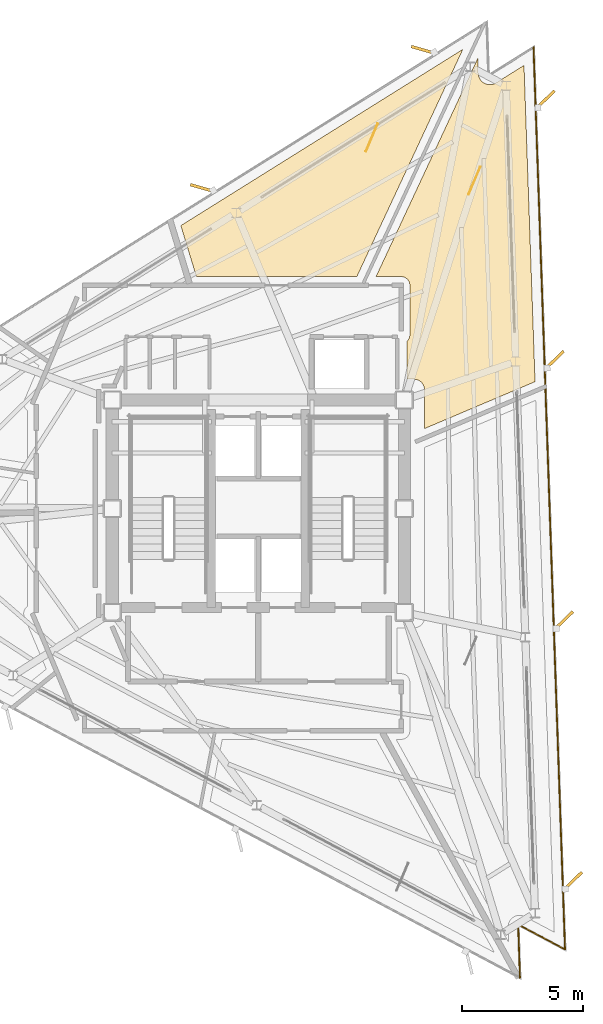
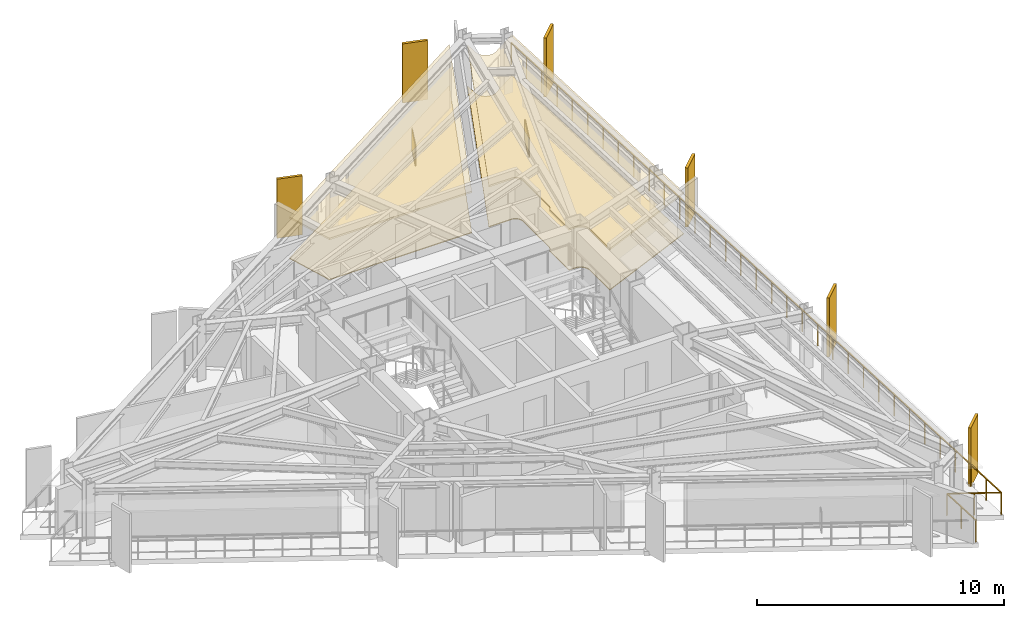
# One storey, part 13 of 13: 6 coverings, 6 shading devices, 1 railing.
"""IFC4 building model written with IfcOpenShell, lengths in metres."""

from ifc_helpers import new_model, si_unit, direction, frame, origin, origin_2d, place, context, subcontext, project, spatial, polyline, rectangle, outline, extrude, material, layer, layer_set, type_object, element, save


model = new_model("IFC4")

# Units and contexts
model_context = context("Model", 3, precision=1e-05, world=origin(), true_north=direction((0.0, 1.0)))
body_context = subcontext(model_context, "Body", "Model", "MODEL_VIEW")
ifc_project = project(units=[si_unit("LENGTHUNIT", "METRE"), si_unit("AREAUNIT", "SQUARE_METRE"), si_unit("VOLUMEUNIT", "CUBIC_METRE"), si_unit("PLANEANGLEUNIT", "RADIAN"), si_unit("MASSUNIT", "GRAM", prefix="KILO")], contexts=[model_context])

# Site, building, storey
site_placement = place(None, origin())
site = spatial("IfcSite", under=ifc_project, at=site_placement, CompositionType="ELEMENT")
building_placement = place(site_placement, origin())
building = spatial("IfcBuilding", under=site, at=building_placement, Name="Rocaltana Carrier Exchange", CompositionType="ELEMENT")
storey_placement = place(building_placement, frame((0.0, 0.0, 199.679931640625)))
storey = spatial("IfcBuildingStorey", under=building, at=storey_placement, Name="L63", CompositionType="ELEMENT", Elevation=199.679931640625)

# Coverings
ifc_material_1 = material(Name="Honed Bogota Sandstone Tile", Category="masonry")
ifc_layer_1 = layer(ifc_material_1, 0.0400390625)
ifc_layer_set_1 = layer_set([ifc_layer_1], Name="Honed Bogota Sandstone Tile")
covering_type_1 = type_object("IfcCoveringType", Name="Honed Stone Lobby Flooring 40", PredefinedType="FLOORING", material=ifc_layer_set_1)
covering_1_placement = place(storey_placement, origin())
element("IfcCovering", 1, at=covering_1_placement, inside=storey, type_object=covering_type_1, Name="L63 Executive Peering Boardroom Finish Floor", PredefinedType="FLOORING", context=body_context, shape_type="SweptSolid", body=[
    extrude(outline(polyline([(6.159912109375, 6.931884765625), (6.16455078125, 6.93603515625), (6.18408203125, 6.955322265625), (6.189208984375, 6.961181640625), (6.206787109375, 6.982421875), (6.21142578125, 6.98876953125), (6.226806640625, 7.01171875), (6.230712890625, 7.018310546875), (6.24365234375, 7.04248046875), (6.2470703125, 7.0498046875), (6.257568359375, 7.0751953125), (6.26025390625, 7.08251953125), (6.268310546875, 7.108642578125), (6.27001953125, 7.116455078125), (6.275390625, 7.143310546875), (6.276611328125, 7.151123046875), (6.279296875, 7.178466796875), (6.27978515625, 7.186279296875), (6.280029296875, 7.199951171875), (6.280029296875, 9.25), (6.27978515625, 9.263671875), (6.279296875, 9.271484375), (6.276611328125, 9.298828125), (6.275390625, 9.306640625), (6.27001953125, 9.33349609375), (6.268310546875, 9.34130859375), (6.26025390625, 9.36767578125), (6.257568359375, 9.375), (6.2470703125, 9.400390625), (6.24365234375, 9.407470703125), (6.230712890625, 9.431640625), (6.226806640625, 9.4384765625), (6.21142578125, 9.461181640625), (6.206787109375, 9.467529296875), (6.189208984375, 9.48876953125), (6.18408203125, 9.49462890625), (6.16455078125, 9.513916015625), (6.15869140625, 9.519287109375), (6.137451171875, 9.53662109375), (6.131103515625, 9.54150390625), (6.1083984375, 9.556640625), (6.101806640625, 9.560791015625), (6.077392578125, 9.57373046875), (6.0703125, 9.576904296875), (6.044921875, 9.58740234375), (6.03759765625, 9.590087890625), (6.01123046875, 9.59814453125), (6.003662109375, 9.60009765625), (5.976806640625, 9.60546875), (5.968994140625, 9.606689453125), (5.941650390625, 9.609375), (5.93359375, 9.609619140625), (5.919921875, 9.610107421875), (4.87841796875, 9.610107421875), (9.09375, 18.64990234375), (9.115478515625, 18.029052734375), (9.1162109375, 18.01513671875), (9.117919921875, 17.995361328125), (9.121826171875, 17.9677734375), (9.12548828125, 17.947998046875), (9.1318359375, 17.9208984375), (9.137451171875, 17.90185546875), (9.146484375, 17.87548828125), (9.154052734375, 17.85693359375), (9.166015625, 17.83154296875), (9.175048828125, 17.81396484375), (9.189208984375, 17.789794921875), (9.2001953125, 17.773193359375), (9.216796875, 17.750732421875), (9.2294921875, 17.7353515625), (9.248046875, 17.714599609375), (9.26220703125, 17.700439453125), (9.28271484375, 17.681640625), (9.298095703125, 17.6689453125), (9.320556640625, 17.65234375), (9.337158203125, 17.641357421875), (9.361083984375, 17.626953125), (9.37890625, 17.61767578125), (9.404052734375, 17.605712890625), (9.422607421875, 17.59814453125), (9.44873046875, 17.5888671875), (9.468017578125, 17.583251953125), (9.4951171875, 17.57666015625), (9.5146484375, 17.572998046875), (9.542236328125, 17.569091796875), (9.56201171875, 17.567138671875), (9.590087890625, 17.566162109375), (9.610107421875, 17.56640625), (9.6376953125, 17.56787109375), (9.65771484375, 17.570068359375), (9.685302734375, 17.57470703125), (9.70458984375, 17.57861328125), (9.731689453125, 17.5859375), (9.750732421875, 17.591796875), (9.77685546875, 17.601806640625), (9.795166015625, 17.609619140625), (9.820068359375, 17.6220703125), (9.83740234375, 17.631591796875), (9.849609375, 17.638916015625), (11.01025390625, 18.364013671875), (11.4677734375, 5.2587890625), (6.889892578125, 3.315673828125), (6.889892578125, 4.919921875), (6.8896484375, 4.93359375), (6.888916015625, 4.949462890625), (6.88623046875, 4.976806640625), (6.8837890625, 4.9921875), (6.87841796875, 5.019287109375), (6.874755859375, 5.034423828125), (6.86669921875, 5.060791015625), (6.861572265625, 5.07568359375), (6.850830078125, 5.100830078125), (6.84423828125, 5.114990234375), (6.831298828125, 5.139404296875), (6.8232421875, 5.15283203125), (6.807861328125, 5.17578125), (6.798583984375, 5.188232421875), (6.781005859375, 5.20947265625), (6.7705078125, 5.22119140625), (6.751220703125, 5.240478515625), (6.739501953125, 5.251220703125), (6.71826171875, 5.2685546875), (6.705810546875, 5.27783203125), (6.682861328125, 5.293212890625), (6.66943359375, 5.30126953125), (6.64501953125, 5.314208984375), (6.630859375, 5.32080078125), (6.605712890625, 5.33154296875), (6.5908203125, 5.336669921875), (6.564453125, 5.3447265625), (6.54931640625, 5.348388671875), (6.522216796875, 5.35400390625), (6.5068359375, 5.356201171875), (6.4794921875, 5.35888671875), (6.463623046875, 5.359619140625), (6.449951171875, 5.360107421875), (6.159912109375, 5.360107421875), (6.159912109375, 6.931884765625)])), origin(), (0.0, 0.0, 1.0), 0.0400390625),
])
covering_2_placement = place(storey_placement, origin())
element("IfcCovering", 2, at=covering_2_placement, inside=storey, type_object=covering_type_1, Name="L63 Peering Conference Room Finish Floor", PredefinedType="FLOORING", context=body_context, shape_type="SweptSolid", body=[
    extrude(outline(polyline([(8.47509765625, 19.026611328125), (4.083984375, 9.610107421875), (-2.5615234375, 9.610107421875), (-3.20849609375, 11.725830078125), (8.47509765625, 19.026611328125)])), origin(), (0.0, 0.0, 1.0), 0.0400390625),
])
ifc_material_2 = material(Name="Anodised Aluminium 6063-T6", Category="aluminium")
ifc_layer_2 = layer(ifc_material_2, 0.0849609375)
ifc_layer_set_2 = layer_set([ifc_layer_2], Name="Anodised Aluminium 6063-T6")
covering_type_2 = type_object("IfcCoveringType", Name="Linear Baffle Acoustic Ceiling 85", PredefinedType="CEILING", material=ifc_layer_set_2)
covering_3_placement = place(storey_placement, frame((0.0, 0.0, 1.983154296875)))
element("IfcCovering", 3, at=covering_3_placement, inside=storey, type_object=covering_type_2, Name="L63 Executive Peering Boardroom Acoustic Ceiling", PredefinedType="CEILING", context=body_context, shape_type="SweptSolid", body=[
    extrude(outline(polyline([(6.159912109375, 6.931884765625), (6.16455078125, 6.93603515625), (6.18408203125, 6.955322265625), (6.189208984375, 6.961181640625), (6.206787109375, 6.982421875), (6.21142578125, 6.98876953125), (6.226806640625, 7.01171875), (6.230712890625, 7.018310546875), (6.24365234375, 7.04248046875), (6.2470703125, 7.0498046875), (6.257568359375, 7.0751953125), (6.26025390625, 7.08251953125), (6.268310546875, 7.108642578125), (6.27001953125, 7.116455078125), (6.275390625, 7.143310546875), (6.276611328125, 7.151123046875), (6.279296875, 7.178466796875), (6.27978515625, 7.186279296875), (6.280029296875, 7.199951171875), (6.280029296875, 9.25), (6.27978515625, 9.263671875), (6.279296875, 9.271484375), (6.276611328125, 9.298828125), (6.275390625, 9.306640625), (6.27001953125, 9.33349609375), (6.268310546875, 9.34130859375), (6.26025390625, 9.36767578125), (6.257568359375, 9.375), (6.2470703125, 9.400390625), (6.24365234375, 9.407470703125), (6.230712890625, 9.431640625), (6.226806640625, 9.4384765625), (6.21142578125, 9.461181640625), (6.206787109375, 9.467529296875), (6.189208984375, 9.48876953125), (6.18408203125, 9.49462890625), (6.16455078125, 9.513916015625), (6.15869140625, 9.519287109375), (6.137451171875, 9.53662109375), (6.131103515625, 9.54150390625), (6.1083984375, 9.556640625), (6.101806640625, 9.560791015625), (6.077392578125, 9.57373046875), (6.0703125, 9.576904296875), (6.044921875, 9.58740234375), (6.03759765625, 9.590087890625), (6.01123046875, 9.59814453125), (6.003662109375, 9.60009765625), (5.976806640625, 9.60546875), (5.968994140625, 9.606689453125), (5.941650390625, 9.609375), (5.93359375, 9.609619140625), (5.919921875, 9.610107421875), (4.87841796875, 9.610107421875), (9.09375, 18.64990234375), (9.115478515625, 18.029052734375), (9.1162109375, 18.01513671875), (9.117919921875, 17.995361328125), (9.121826171875, 17.9677734375), (9.12548828125, 17.947998046875), (9.1318359375, 17.9208984375), (9.137451171875, 17.90185546875), (9.146484375, 17.87548828125), (9.154052734375, 17.85693359375), (9.166015625, 17.83154296875), (9.175048828125, 17.81396484375), (9.189208984375, 17.789794921875), (9.2001953125, 17.773193359375), (9.216796875, 17.750732421875), (9.2294921875, 17.7353515625), (9.248046875, 17.714599609375), (9.26220703125, 17.700439453125), (9.28271484375, 17.681640625), (9.298095703125, 17.6689453125), (9.320556640625, 17.65234375), (9.337158203125, 17.641357421875), (9.361083984375, 17.626953125), (9.37890625, 17.61767578125), (9.404052734375, 17.605712890625), (9.422607421875, 17.59814453125), (9.44873046875, 17.5888671875), (9.468017578125, 17.583251953125), (9.4951171875, 17.57666015625), (9.5146484375, 17.572998046875), (9.542236328125, 17.569091796875), (9.56201171875, 17.567138671875), (9.590087890625, 17.566162109375), (9.610107421875, 17.56640625), (9.6376953125, 17.56787109375), (9.65771484375, 17.570068359375), (9.685302734375, 17.57470703125), (9.70458984375, 17.57861328125), (9.731689453125, 17.5859375), (9.750732421875, 17.591796875), (9.77685546875, 17.601806640625), (9.795166015625, 17.609619140625), (9.820068359375, 17.6220703125), (9.83740234375, 17.631591796875), (9.849609375, 17.638916015625), (11.01025390625, 18.364013671875), (11.4677734375, 5.2587890625), (6.889892578125, 3.315673828125), (6.889892578125, 4.919921875), (6.8896484375, 4.93359375), (6.888916015625, 4.949462890625), (6.88623046875, 4.976806640625), (6.8837890625, 4.9921875), (6.87841796875, 5.019287109375), (6.874755859375, 5.034423828125), (6.86669921875, 5.060791015625), (6.861572265625, 5.07568359375), (6.850830078125, 5.100830078125), (6.84423828125, 5.114990234375), (6.831298828125, 5.139404296875), (6.8232421875, 5.15283203125), (6.807861328125, 5.17578125), (6.798583984375, 5.188232421875), (6.781005859375, 5.20947265625), (6.7705078125, 5.22119140625), (6.751220703125, 5.240478515625), (6.739501953125, 5.251220703125), (6.71826171875, 5.2685546875), (6.705810546875, 5.27783203125), (6.682861328125, 5.293212890625), (6.66943359375, 5.30126953125), (6.64501953125, 5.314208984375), (6.630859375, 5.32080078125), (6.605712890625, 5.33154296875), (6.5908203125, 5.336669921875), (6.564453125, 5.3447265625), (6.54931640625, 5.348388671875), (6.522216796875, 5.35400390625), (6.5068359375, 5.356201171875), (6.4794921875, 5.35888671875), (6.463623046875, 5.359619140625), (6.449951171875, 5.360107421875), (6.159912109375, 5.360107421875), (6.159912109375, 6.931884765625)])), origin(), (0.0, 0.0, 1.0), 0.0849609375),
])
covering_4_placement = place(storey_placement, frame((0.0, 0.0, 1.983154296875)))
element("IfcCovering", 4, at=covering_4_placement, inside=storey, type_object=covering_type_2, Name="L63 Peering Conference Room Acoustic Ceiling", PredefinedType="CEILING", context=body_context, shape_type="SweptSolid", body=[
    extrude(outline(polyline([(8.47509765625, 19.026611328125), (4.083984375, 9.610107421875), (-2.5615234375, 9.610107421875), (-3.20849609375, 11.725830078125), (8.47509765625, 19.026611328125)])), origin(), (0.0, 0.0, 1.0), 0.0849609375),
])
ifc_material_3 = material(Name="Honed Piedra Muneca Sandstone", Category="masonry")
ifc_layer_3 = layer(ifc_material_3, 0.034912109375)
ifc_layer_set_3 = layer_set([ifc_layer_3], Name="Honed Piedra Muneca Sandstone")
covering_type_3 = type_object("IfcCoveringType", Name="Stone Facade Cladding 35", PredefinedType="CLADDING", material=ifc_layer_set_3)
for number, where, z_axis, x_axis, name in (
    (5, (8.955078125, 13.587890625, 0.0), (0.0, 0.0, 1.0), (0.390731128489, 0.920504853452, 0.0), "L63 Stone Facade Cladding Panel 5"),
    (6, (4.702880859375, 15.376220703125, 0.0), (0.0, 0.0, 1.0), (0.390731128489, 0.920504853452, 0.0), "L63 Stone Facade Cladding Panel 6"),
):
    element("IfcCovering", number, at=place(storey_placement, frame(where, z_axis=z_axis, x_axis=x_axis)), inside=storey, type_object=covering_type_3, Name=name, PredefinedType="CLADDING", context=body_context, shape_type="SweptSolid", body=[
        extrude(rectangle(XDim=1.25, YDim=0.034912109375, at=origin_2d()), origin(), (0.0, 0.0, 1.0), 1.050048828125),
    ])

# Shading devices
ifc_material_4 = material(Name="Honed Bogota Sandstone & Concrete C45/55", Category="masonry")
ifc_layer_4 = layer(ifc_material_4, 0.1201171875)
ifc_layer_set_4 = layer_set([ifc_layer_4], Name="Honed Bogota Sandstone & Concrete C45/55")
shading_device_type = type_object("IfcShadingDeviceType", Name="Upper Sandstone Shading Fin 1050x120", PredefinedType="USERDEFINED", material=ifc_layer_set_4)
for number, where, z_axis, x_axis, name in (
    (7, (13.03125, -15.43017578125, -0.119873046875), (0.0, 0.0, 1.0), (0.719339800339, 0.694658370459, 0.0), "L63 Sandstone Vertical Fin F1-01"),
    (8, (12.654296875, -4.63671875, -0.119873046875), (0.0, 0.0, 1.0), (0.719339800339, 0.694658370459, 0.0), "L63 Sandstone Vertical Fin F1-02"),
    (9, (12.27734375, 6.15673828125, -0.119873046875), (0.0, 0.0, 1.0), (0.719339800339, 0.694658370459, 0.0), "L63 Sandstone Vertical Fin F1-03"),
    (10, (11.900390625, 16.9501953125, -0.119873046875), (0.0, 0.0, 1.0), (0.719339800339, 0.694658370459, 0.0), "L63 Sandstone Vertical Fin F1-04"),
    (11, (6.84716796875, 19.00048828125, -0.119873046875), (0.0, 0.0, 1.0), (-0.961261695938, 0.275637355817, 0.0), "L63 Sandstone Vertical Fin F2-01"),
    (12, (-2.311767578125, 13.27734375, -0.119873046875), (0.0, 0.0, 1.0), (-0.961261695938, 0.275637355817, 0.0), "L63 Sandstone Vertical Fin F2-02"),
):
    element("IfcShadingDevice", number, at=place(storey_placement, frame(where, z_axis=z_axis, x_axis=x_axis)), inside=storey, type_object=shading_device_type, Name=name, ObjectType="FIN", PredefinedType="USERDEFINED", context=body_context, shape_type="SweptSolid", body=[
        extrude(rectangle(XDim=1.050048828125, YDim=0.1201171875, at=origin_2d()), origin(), (0.0, 0.0, 1.0), 2.91796875),
    ])

# Railing
ifc_material_5 = material(Name="Powder-Coated Aluminium 6063-T6", Category="aluminium")
ifc_layer_5 = layer(ifc_material_5, 0.06005859375)
ifc_layer_set_5 = layer_set([ifc_layer_5], Name="Powder-Coated Aluminium 6063-T6")
railing_type = type_object("IfcRailingType", Name="Wind-Floor & Terrace Perimeter Guardrail 1100", PredefinedType="GUARDRAIL", material=ifc_layer_set_5)
railing_placement = place(storey_placement, frame((11.404541015625, 19.105712890625, 0.0)))
element("IfcRailing", 13, at=railing_placement, inside=storey, type_object=railing_type, Name="L63 Perimeter Balcony Guardrail 3", PredefinedType="GUARDRAIL", context=body_context, shape_type="SweptSolid", body=[
    extrude(rectangle(XDim=0.048095703125, YDim=0.048095703125, at=origin_2d()), frame((0.0, 0.0, 1.076171875), z_axis=(0.034898534283, -0.999390860627, 0.0), x_axis=(0.999390860627, 0.034898534283, 0.0)), (0.0, 0.0, 1.0), 37.39208984375),
    extrude(rectangle(XDim=0.048095703125, YDim=0.048095703125, at=origin_2d()), frame((1.304931640625, -37.369384765625, 1.076171875), z_axis=(-0.882914480843, 0.469533832133, 0.0), x_axis=(-0.469533832133, -0.882914480843, 0.0)), (0.0, 0.0, 1.0), 2.199951171875),
    extrude(rectangle(XDim=0.048095703125, YDim=0.048095703125, at=origin_2d()), frame((-0.637451171875, -36.33642578125, 1.076171875), z_axis=(0.034844472857, -0.999392746978, 0.0), x_axis=(0.999392746978, 0.034844472857, 0.0)), (0.0, 0.0, 1.0), 2.199951171875),
    extrude(rectangle(XDim=0.0419921875, YDim=0.0419921875, at=origin_2d()), origin(), (0.0, 0.0, 1.0), 1.052001953125),
    extrude(rectangle(XDim=0.0419921875, YDim=0.0419921875, at=origin_2d()), frame((0.040771484375, -1.167724609375, 0.0)), (0.0, 0.0, 1.0), 1.052001953125),
    extrude(rectangle(XDim=0.0419921875, YDim=0.0419921875, at=origin_2d()), frame((0.08154296875, -2.335693359375, 0.0)), (0.0, 0.0, 1.0), 1.052001953125),
    extrude(rectangle(XDim=0.0419921875, YDim=0.0419921875, at=origin_2d()), frame((0.122314453125, -3.50341796875, 0.0)), (0.0, 0.0, 1.0), 1.052001953125),
    extrude(rectangle(XDim=0.0419921875, YDim=0.0419921875, at=origin_2d()), frame((0.1630859375, -4.671142578125, 0.0)), (0.0, 0.0, 1.0), 1.052001953125),
    extrude(rectangle(XDim=0.0419921875, YDim=0.0419921875, at=origin_2d()), frame((0.203857421875, -5.8388671875, 0.0)), (0.0, 0.0, 1.0), 1.052001953125),
    extrude(rectangle(XDim=0.0419921875, YDim=0.0419921875, at=origin_2d()), frame((0.24462890625, -7.0068359375, 0.0)), (0.0, 0.0, 1.0), 1.052001953125),
    extrude(rectangle(XDim=0.0419921875, YDim=0.0419921875, at=origin_2d()), frame((0.285400390625, -8.174560546875, 0.0)), (0.0, 0.0, 1.0), 1.052001953125),
    extrude(rectangle(XDim=0.0419921875, YDim=0.0419921875, at=origin_2d()), frame((0.326171875, -9.34228515625, 0.0)), (0.0, 0.0, 1.0), 1.052001953125),
    extrude(rectangle(XDim=0.0419921875, YDim=0.0419921875, at=origin_2d()), frame((0.366943359375, -10.51025390625, 0.0)), (0.0, 0.0, 1.0), 1.052001953125),
    extrude(rectangle(XDim=0.0419921875, YDim=0.0419921875, at=origin_2d()), frame((0.40771484375, -11.677978515625, 0.0)), (0.0, 0.0, 1.0), 1.052001953125),
    extrude(rectangle(XDim=0.0419921875, YDim=0.0419921875, at=origin_2d()), frame((0.448486328125, -12.845703125, 0.0)), (0.0, 0.0, 1.0), 1.052001953125),
    extrude(rectangle(XDim=0.0419921875, YDim=0.0419921875, at=origin_2d()), frame((0.4892578125, -14.013427734375, 0.0)), (0.0, 0.0, 1.0), 1.052001953125),
    extrude(rectangle(XDim=0.0419921875, YDim=0.0419921875, at=origin_2d()), frame((0.530029296875, -15.181396484375, 0.0)), (0.0, 0.0, 1.0), 1.052001953125),
    extrude(rectangle(XDim=0.0419921875, YDim=0.0419921875, at=origin_2d()), frame((0.57080078125, -16.34912109375, 0.0)), (0.0, 0.0, 1.0), 1.052001953125),
    extrude(rectangle(XDim=0.0419921875, YDim=0.0419921875, at=origin_2d()), frame((0.611572265625, -17.516845703125, 0.0)), (0.0, 0.0, 1.0), 1.052001953125),
    extrude(rectangle(XDim=0.0419921875, YDim=0.0419921875, at=origin_2d()), frame((0.65234375, -18.6845703125, 0.0)), (0.0, 0.0, 1.0), 1.052001953125),
    extrude(rectangle(XDim=0.0419921875, YDim=0.0419921875, at=origin_2d()), frame((0.693359375, -19.8525390625, 0.0)), (0.0, 0.0, 1.0), 1.052001953125),
    extrude(rectangle(XDim=0.0419921875, YDim=0.0419921875, at=origin_2d()), frame((0.734130859375, -21.020263671875, 0.0)), (0.0, 0.0, 1.0), 1.052001953125),
    extrude(rectangle(XDim=0.0419921875, YDim=0.0419921875, at=origin_2d()), frame((0.77490234375, -22.18798828125, 0.0)), (0.0, 0.0, 1.0), 1.052001953125),
    extrude(rectangle(XDim=0.0419921875, YDim=0.0419921875, at=origin_2d()), frame((0.815673828125, -23.35595703125, 0.0)), (0.0, 0.0, 1.0), 1.052001953125),
    extrude(rectangle(XDim=0.0419921875, YDim=0.0419921875, at=origin_2d()), frame((0.8564453125, -24.523681640625, 0.0)), (0.0, 0.0, 1.0), 1.052001953125),
    extrude(rectangle(XDim=0.0419921875, YDim=0.0419921875, at=origin_2d()), frame((0.897216796875, -25.69140625, 0.0)), (0.0, 0.0, 1.0), 1.052001953125),
    extrude(rectangle(XDim=0.0419921875, YDim=0.0419921875, at=origin_2d()), frame((0.93798828125, -26.859130859375, 0.0)), (0.0, 0.0, 1.0), 1.052001953125),
    extrude(rectangle(XDim=0.0419921875, YDim=0.0419921875, at=origin_2d()), frame((0.978759765625, -28.027099609375, 0.0)), (0.0, 0.0, 1.0), 1.052001953125),
    extrude(rectangle(XDim=0.0419921875, YDim=0.0419921875, at=origin_2d()), frame((1.01953125, -29.19482421875, 0.0)), (0.0, 0.0, 1.0), 1.052001953125),
    extrude(rectangle(XDim=0.0419921875, YDim=0.0419921875, at=origin_2d()), frame((1.060302734375, -30.362548828125, 0.0)), (0.0, 0.0, 1.0), 1.052001953125),
    extrude(rectangle(XDim=0.0419921875, YDim=0.0419921875, at=origin_2d()), frame((1.10107421875, -31.530517578125, 0.0)), (0.0, 0.0, 1.0), 1.052001953125),
    extrude(rectangle(XDim=0.0419921875, YDim=0.0419921875, at=origin_2d()), frame((1.141845703125, -32.6982421875, 0.0)), (0.0, 0.0, 1.0), 1.052001953125),
    extrude(rectangle(XDim=0.0419921875, YDim=0.0419921875, at=origin_2d()), frame((1.1826171875, -33.865966796875, 0.0)), (0.0, 0.0, 1.0), 1.052001953125),
    extrude(rectangle(XDim=0.0419921875, YDim=0.0419921875, at=origin_2d()), frame((1.223388671875, -35.03369140625, 0.0)), (0.0, 0.0, 1.0), 1.052001953125),
    extrude(rectangle(XDim=0.0419921875, YDim=0.0419921875, at=origin_2d()), frame((1.26416015625, -36.20166015625, 0.0)), (0.0, 0.0, 1.0), 1.052001953125),
    extrude(rectangle(XDim=0.0419921875, YDim=0.0419921875, at=origin_2d()), frame((1.304931640625, -37.369384765625, 0.0)), (0.0, 0.0, 1.0), 1.052001953125),
    extrude(rectangle(XDim=0.0419921875, YDim=0.0419921875, at=origin_2d()), frame((0.333740234375, -36.85302734375, 0.0)), (0.0, 0.0, 1.0), 1.052001953125),
    extrude(rectangle(XDim=0.0419921875, YDim=0.0419921875, at=origin_2d()), frame((-0.637451171875, -36.33642578125, 0.0)), (0.0, 0.0, 1.0), 1.052001953125),
    extrude(rectangle(XDim=0.0419921875, YDim=0.0419921875, at=origin_2d()), frame((-0.59912109375, -37.435791015625, 0.0)), (0.0, 0.0, 1.0), 1.052001953125),
    extrude(rectangle(XDim=0.0419921875, YDim=0.0419921875, at=origin_2d()), frame((-0.560791015625, -38.53515625, 0.0)), (0.0, 0.0, 1.0), 1.052001953125),
])

save(model, "model.ifc")
